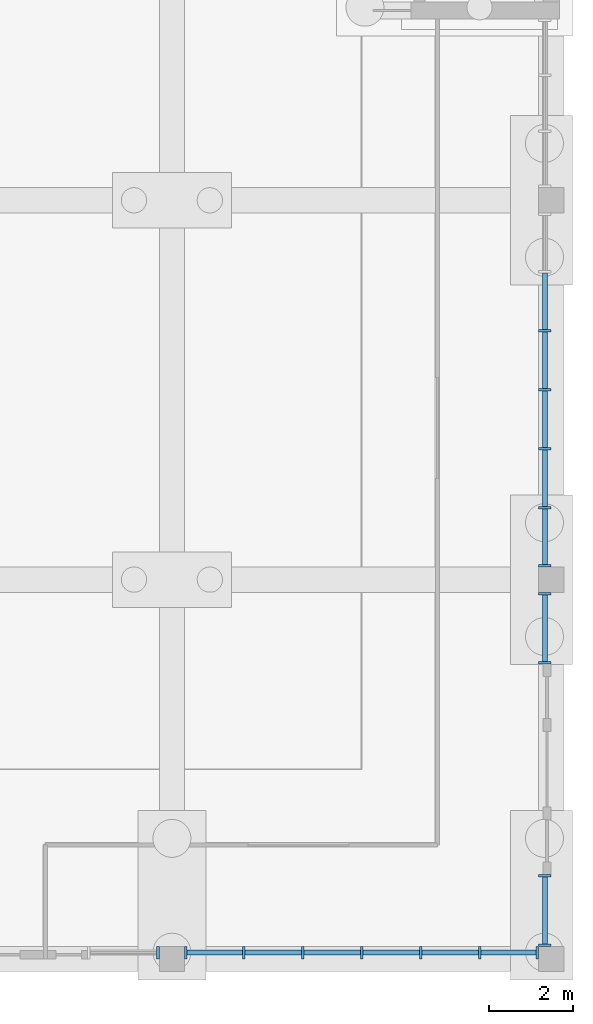
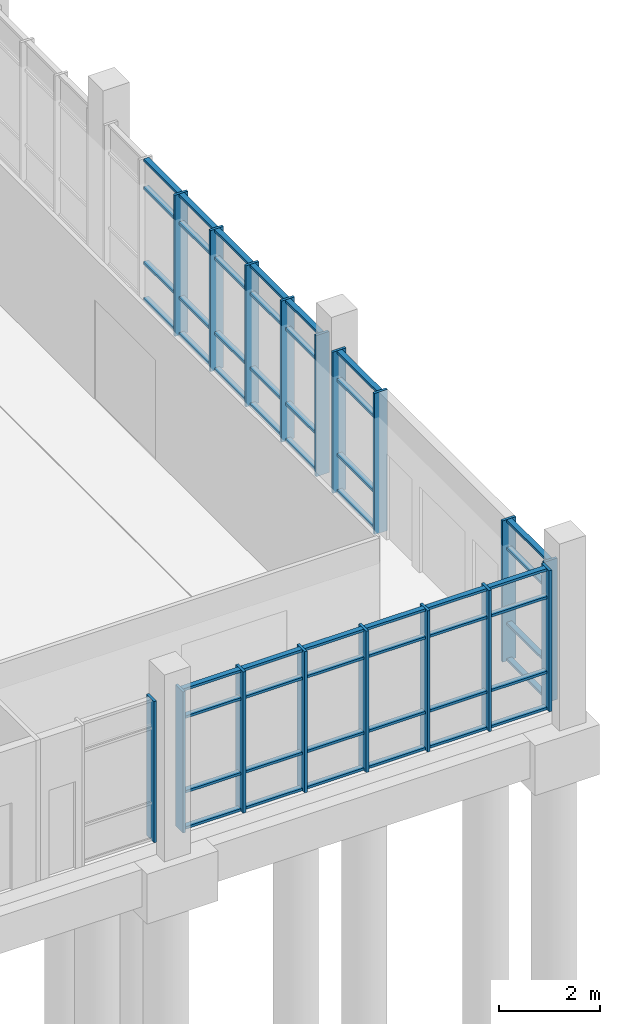
# One storey, part 36 of 106: 69 members, 5 elements without a shape of their own.
"""IFC4 building model written with IfcOpenShell, lengths in metres."""

from ifc_helpers import new_model, si_unit, direction, frame, origin, origin_2d, place, context, subcontext, project, spatial, rectangle, extrude, material, material_profile, profile_set, type_object, element, aggregate, save


model = new_model("IFC4")

# Units and contexts
model_context = context("Model", 3, precision=1e-05, world=origin(), true_north=direction((0.0, 1.0)))
body_context = subcontext(model_context, "Body", "Model", "MODEL_VIEW")
ifc_project = project(units=[si_unit("LENGTHUNIT", "METRE"), si_unit("AREAUNIT", "SQUARE_METRE"), si_unit("VOLUMEUNIT", "CUBIC_METRE"), si_unit("PLANEANGLEUNIT", "RADIAN"), si_unit("MASSUNIT", "GRAM", prefix="KILO")], contexts=[model_context])

# Site, building, storey
site_placement = place(None, origin())
site = spatial("IfcSite", under=ifc_project, at=site_placement, CompositionType="ELEMENT")
building_placement = place(site_placement, origin())
building = spatial("IfcBuilding", under=site, at=building_placement, Name="Merrow Basin Faculty of Sciences", CompositionType="ELEMENT")
storey_placement = place(building_placement, origin())
storey = spatial("IfcBuildingStorey", under=building, at=storey_placement, Name="L00", CompositionType="ELEMENT", Elevation=0.0)

# Curtain wall, members
ifc_material_1 = material(Name="Aluminium alloy 6063", Category="aluminium")
curtain_wall_type = type_object("IfcCurtainWallType", Name="Atrium concourse curtain wall 300", PredefinedType="NOTDEFINED", material=ifc_material_1)
curtain_wall_1_placement = place(storey_placement, origin())
curtain_wall_1 = element("IfcCurtainWall", 1, at=curtain_wall_1_placement, inside=storey, type_object=curtain_wall_type, Name="E curtain wall L00 1", PredefinedType="NOTDEFINED")
ifc_material_2 = material(Name="Aluminium alloy 6063", Category="aluminium")
ifc_material_profile_1 = material_profile(ifc_material_2, rectangle(XDim=0.300048828125, YDim=0.06005859375, at=origin_2d()))
ifc_profile_set_1 = profile_set([ifc_material_profile_1], Name="Aluminium alloy 6063")
member_type_1 = type_object("IfcMemberType", Name="Aluminium mullion 60x300", PredefinedType="MULLION", material=ifc_profile_set_1)
member_1_placement = place(storey_placement, frame((71.85009765625, 0.330078125, 0.0), z_axis=(0.0, 0.0, 1.0), x_axis=(-1.0, 0.0, 0.0)))
member_1 = element("IfcMember", 2, at=member_1_placement, type_object=member_type_1, Name="CW6 mullion 1", PredefinedType="MULLION", context=body_context, shape_type="SweptSolid", body=[
    extrude(rectangle(XDim=0.300048828125, YDim=0.06005859375, at=origin_2d()), origin(), (0.0, 0.0, 1.0), 3.39990234375),
])
member_2_placement = place(storey_placement, frame((71.85009765625, 1.969970703125, 0.0), z_axis=(0.0, 0.0, 1.0), x_axis=(-1.0, 0.0, 0.0)))
member_2 = element("IfcMember", 3, at=member_2_placement, type_object=member_type_1, Name="CW6 mullion 2", PredefinedType="MULLION", context=body_context, shape_type="SweptSolid", body=[
    extrude(rectangle(XDim=0.300048828125, YDim=0.06005859375, at=origin_2d()), origin(), (0.0, 0.0, 1.0), 3.39990234375),
])

curtain_wall_2_placement = place(storey_placement, origin())
curtain_wall_2 = element("IfcCurtainWall", 4, at=curtain_wall_2_placement, inside=storey, type_object=curtain_wall_type, Name="E curtain wall L00 2", PredefinedType="NOTDEFINED")
member_3_placement = place(storey_placement, frame((71.85009765625, 7.030029296875, 0.0), z_axis=(0.0, 0.0, 1.0), x_axis=(-1.0, 0.0, 0.0)))
member_3 = element("IfcMember", 5, at=member_3_placement, type_object=member_type_1, Name="CW6 mullion 1", PredefinedType="MULLION", context=body_context, shape_type="SweptSolid", body=[
    extrude(rectangle(XDim=0.300048828125, YDim=0.06005859375, at=origin_2d()), origin(), (0.0, 0.0, 1.0), 3.39990234375),
])
member_4_placement = place(storey_placement, frame((71.85009765625, 8.669921875, 0.0), z_axis=(0.0, 0.0, 1.0), x_axis=(-1.0, 0.0, 0.0)))
member_4 = element("IfcMember", 6, at=member_4_placement, type_object=member_type_1, Name="CW6 mullion 2", PredefinedType="MULLION", context=body_context, shape_type="SweptSolid", body=[
    extrude(rectangle(XDim=0.300048828125, YDim=0.06005859375, at=origin_2d()), origin(), (0.0, 0.0, 1.0), 3.39990234375),
])

curtain_wall_3_placement = place(storey_placement, origin())
curtain_wall_3 = element("IfcCurtainWall", 7, at=curtain_wall_3_placement, inside=storey, type_object=curtain_wall_type, Name="E curtain wall L00 3", PredefinedType="NOTDEFINED")
member_5_placement = place(storey_placement, frame((71.85009765625, 9.330078125, 0.0), z_axis=(0.0, 0.0, 1.0), x_axis=(-1.0, 0.0, 0.0)))
member_5 = element("IfcMember", 8, at=member_5_placement, type_object=member_type_1, Name="CW6 mullion 1", PredefinedType="MULLION", context=body_context, shape_type="SweptSolid", body=[
    extrude(rectangle(XDim=0.300048828125, YDim=0.06005859375, at=origin_2d()), origin(), (0.0, 0.0, 1.0), 3.39990234375),
])
member_6_placement = place(storey_placement, frame((71.85009765625, 10.699951171875, 0.0), z_axis=(0.0, 0.0, 1.0), x_axis=(-1.0, 0.0, 0.0)))
member_6 = element("IfcMember", 9, at=member_6_placement, type_object=member_type_1, Name="CW6 mullion 2", PredefinedType="MULLION", context=body_context, shape_type="SweptSolid", body=[
    extrude(rectangle(XDim=0.300048828125, YDim=0.06005859375, at=origin_2d()), origin(), (0.0, 0.0, 1.0), 3.39990234375),
])
member_7_placement = place(storey_placement, frame((71.85009765625, 12.10009765625, 0.0), z_axis=(0.0, 0.0, 1.0), x_axis=(-1.0, 0.0, 0.0)))
member_7 = element("IfcMember", 10, at=member_7_placement, type_object=member_type_1, Name="CW6 mullion 3", PredefinedType="MULLION", context=body_context, shape_type="SweptSolid", body=[
    extrude(rectangle(XDim=0.300048828125, YDim=0.06005859375, at=origin_2d()), origin(), (0.0, 0.0, 1.0), 3.39990234375),
])
member_8_placement = place(storey_placement, frame((71.85009765625, 13.5, 0.0), z_axis=(0.0, 0.0, 1.0), x_axis=(-1.0, 0.0, 0.0)))
member_8 = element("IfcMember", 11, at=member_8_placement, type_object=member_type_1, Name="CW6 mullion 4", PredefinedType="MULLION", context=body_context, shape_type="SweptSolid", body=[
    extrude(rectangle(XDim=0.300048828125, YDim=0.06005859375, at=origin_2d()), origin(), (0.0, 0.0, 1.0), 3.39990234375),
])
member_9_placement = place(storey_placement, frame((71.85009765625, 14.89990234375, 0.0), z_axis=(0.0, 0.0, 1.0), x_axis=(-1.0, 0.0, 0.0)))
member_9 = element("IfcMember", 12, at=member_9_placement, type_object=member_type_1, Name="CW6 mullion 5", PredefinedType="MULLION", context=body_context, shape_type="SweptSolid", body=[
    extrude(rectangle(XDim=0.300048828125, YDim=0.06005859375, at=origin_2d()), origin(), (0.0, 0.0, 1.0), 3.39990234375),
])

# Curtain wall, member
curtain_wall_4_placement = place(storey_placement, origin())
curtain_wall_4 = element("IfcCurtainWall", 13, at=curtain_wall_4_placement, inside=storey, type_object=curtain_wall_type, Name="S curtain wall L00 4", PredefinedType="NOTDEFINED")
member_10_placement = place(storey_placement, frame((62.669921875, 0.14990234375, 0.0), z_axis=(0.0, 0.0, 1.0), x_axis=(0.0, 1.0, 0.0)))
member_10 = element("IfcMember", 14, at=member_10_placement, type_object=member_type_1, Name="CW6 mullion 2", PredefinedType="MULLION", context=body_context, shape_type="SweptSolid", body=[
    extrude(rectangle(XDim=0.300048828125, YDim=0.06005859375, at=origin_2d()), origin(), (0.0, 0.0, 1.0), 3.39990234375),
])
aggregate(curtain_wall_4, [member_10])

# Curtain wall, members
curtain_wall_5_placement = place(storey_placement, origin())
curtain_wall_5 = element("IfcCurtainWall", 15, at=curtain_wall_5_placement, inside=storey, type_object=curtain_wall_type, Name="S curtain wall L00 5", PredefinedType="NOTDEFINED")
member_11_placement = place(storey_placement, frame((63.330078125, 0.14990234375, 0.0), z_axis=(0.0, 0.0, 1.0), x_axis=(0.0, 1.0, 0.0)))
member_11 = element("IfcMember", 16, at=member_11_placement, type_object=member_type_1, Name="CW6 mullion 1", PredefinedType="MULLION", context=body_context, shape_type="SweptSolid", body=[
    extrude(rectangle(XDim=0.300048828125, YDim=0.06005859375, at=origin_2d()), origin(), (0.0, 0.0, 1.0), 3.39990234375),
])
member_12_placement = place(storey_placement, frame((64.699951171875, 0.14990234375, 0.0), z_axis=(0.0, 0.0, 1.0), x_axis=(0.0, 1.0, 0.0)))
member_12 = element("IfcMember", 17, at=member_12_placement, type_object=member_type_1, Name="CW6 mullion 2", PredefinedType="MULLION", context=body_context, shape_type="SweptSolid", body=[
    extrude(rectangle(XDim=0.300048828125, YDim=0.06005859375, at=origin_2d()), origin(), (0.0, 0.0, 1.0), 3.39990234375),
])
member_13_placement = place(storey_placement, frame((66.10009765625, 0.14990234375, 0.0), z_axis=(0.0, 0.0, 1.0), x_axis=(0.0, 1.0, 0.0)))
member_13 = element("IfcMember", 18, at=member_13_placement, type_object=member_type_1, Name="CW6 mullion 3", PredefinedType="MULLION", context=body_context, shape_type="SweptSolid", body=[
    extrude(rectangle(XDim=0.300048828125, YDim=0.06005859375, at=origin_2d()), origin(), (0.0, 0.0, 1.0), 3.39990234375),
])
member_14_placement = place(storey_placement, frame((67.5, 0.14990234375, 0.0), z_axis=(0.0, 0.0, 1.0), x_axis=(0.0, 1.0, 0.0)))
member_14 = element("IfcMember", 19, at=member_14_placement, type_object=member_type_1, Name="CW6 mullion 4", PredefinedType="MULLION", context=body_context, shape_type="SweptSolid", body=[
    extrude(rectangle(XDim=0.300048828125, YDim=0.06005859375, at=origin_2d()), origin(), (0.0, 0.0, 1.0), 3.39990234375),
])
member_15_placement = place(storey_placement, frame((68.89990234375, 0.14990234375, 0.0), z_axis=(0.0, 0.0, 1.0), x_axis=(0.0, 1.0, 0.0)))
member_15 = element("IfcMember", 20, at=member_15_placement, type_object=member_type_1, Name="CW6 mullion 5", PredefinedType="MULLION", context=body_context, shape_type="SweptSolid", body=[
    extrude(rectangle(XDim=0.300048828125, YDim=0.06005859375, at=origin_2d()), origin(), (0.0, 0.0, 1.0), 3.39990234375),
])
member_16_placement = place(storey_placement, frame((70.300048828125, 0.14990234375, 0.0), z_axis=(0.0, 0.0, 1.0), x_axis=(0.0, 1.0, 0.0)))
member_16 = element("IfcMember", 21, at=member_16_placement, type_object=member_type_1, Name="CW6 mullion 6", PredefinedType="MULLION", context=body_context, shape_type="SweptSolid", body=[
    extrude(rectangle(XDim=0.300048828125, YDim=0.06005859375, at=origin_2d()), origin(), (0.0, 0.0, 1.0), 3.39990234375),
])
member_17_placement = place(storey_placement, frame((71.669921875, 0.14990234375, 0.0), z_axis=(0.0, 0.0, 1.0), x_axis=(0.0, 1.0, 0.0)))
member_17 = element("IfcMember", 22, at=member_17_placement, type_object=member_type_1, Name="CW6 mullion 7", PredefinedType="MULLION", context=body_context, shape_type="SweptSolid", body=[
    extrude(rectangle(XDim=0.300048828125, YDim=0.06005859375, at=origin_2d()), origin(), (0.0, 0.0, 1.0), 3.39990234375),
])

# Member
ifc_material_3 = material(Name="Aluminium alloy 6063", Category="aluminium")
ifc_material_profile_2 = material_profile(ifc_material_3, rectangle(XDim=0.1201171875, YDim=0.06005859375, at=origin_2d()))
ifc_profile_set_2 = profile_set([ifc_material_profile_2], Name="Aluminium alloy 6063")
member_type_2 = type_object("IfcMemberType", Name="Aluminium transom 60x120", PredefinedType="USERDEFINED", material=ifc_profile_set_2)
member_18_placement = place(storey_placement, frame((71.85009765625, 0.360107421875, 0.030029296875), z_axis=(0.0, 1.0, 0.0), x_axis=(-1.0, 0.0, 0.0)))
member_18 = element("IfcMember", 23, at=member_18_placement, type_object=member_type_2, Name="CW6 transom 1.1", ObjectType="TRANSOM", PredefinedType="USERDEFINED", context=body_context, shape_type="SweptSolid", body=[
    extrude(rectangle(XDim=0.1201171875, YDim=0.06005859375, at=origin_2d()), origin(), (0.0, 0.0, 1.0), 1.579833984375),
])

member_19_placement = place(storey_placement, frame((71.85009765625, 0.360107421875, 0.89990234375), z_axis=(0.0, 1.0, 0.0), x_axis=(-1.0, 0.0, 0.0)))
member_19 = element("IfcMember", 24, at=member_19_placement, type_object=member_type_2, Name="CW6 transom 1.2", ObjectType="TRANSOM", PredefinedType="USERDEFINED", context=body_context, shape_type="SweptSolid", body=[
    extrude(rectangle(XDim=0.1201171875, YDim=0.06005859375, at=origin_2d()), origin(), (0.0, 0.0, 1.0), 1.579833984375),
])

member_20_placement = place(storey_placement, frame((71.85009765625, 0.360107421875, 2.699951171875), z_axis=(0.0, 1.0, 0.0), x_axis=(-1.0, 0.0, 0.0)))
member_20 = element("IfcMember", 25, at=member_20_placement, type_object=member_type_2, Name="CW6 transom 1.3", ObjectType="TRANSOM", PredefinedType="USERDEFINED", context=body_context, shape_type="SweptSolid", body=[
    extrude(rectangle(XDim=0.1201171875, YDim=0.06005859375, at=origin_2d()), origin(), (0.0, 0.0, 1.0), 1.579833984375),
])

member_21_placement = place(storey_placement, frame((71.85009765625, 0.360107421875, 3.3701171875), z_axis=(0.0, 1.0, 0.0), x_axis=(-1.0, 0.0, 0.0)))
member_21 = element("IfcMember", 26, at=member_21_placement, type_object=member_type_2, Name="CW6 transom 1.4", ObjectType="TRANSOM", PredefinedType="USERDEFINED", context=body_context, shape_type="SweptSolid", body=[
    extrude(rectangle(XDim=0.1201171875, YDim=0.06005859375, at=origin_2d()), origin(), (0.0, 0.0, 1.0), 1.579833984375),
])

aggregate(curtain_wall_1, [member_1, member_2, member_18, member_19, member_20, member_21])

member_22_placement = place(storey_placement, frame((71.85009765625, 7.06005859375, 0.030029296875), z_axis=(0.0, 1.0, 0.0), x_axis=(-1.0, 0.0, 0.0)))
member_22 = element("IfcMember", 27, at=member_22_placement, type_object=member_type_2, Name="CW6 transom 1.1", ObjectType="TRANSOM", PredefinedType="USERDEFINED", context=body_context, shape_type="SweptSolid", body=[
    extrude(rectangle(XDim=0.1201171875, YDim=0.06005859375, at=origin_2d()), origin(), (0.0, 0.0, 1.0), 1.579833984375),
])

member_23_placement = place(storey_placement, frame((71.85009765625, 7.06005859375, 0.89990234375), z_axis=(0.0, 1.0, 0.0), x_axis=(-1.0, 0.0, 0.0)))
member_23 = element("IfcMember", 28, at=member_23_placement, type_object=member_type_2, Name="CW6 transom 1.2", ObjectType="TRANSOM", PredefinedType="USERDEFINED", context=body_context, shape_type="SweptSolid", body=[
    extrude(rectangle(XDim=0.1201171875, YDim=0.06005859375, at=origin_2d()), origin(), (0.0, 0.0, 1.0), 1.579833984375),
])

member_24_placement = place(storey_placement, frame((71.85009765625, 7.06005859375, 2.699951171875), z_axis=(0.0, 1.0, 0.0), x_axis=(-1.0, 0.0, 0.0)))
member_24 = element("IfcMember", 29, at=member_24_placement, type_object=member_type_2, Name="CW6 transom 1.3", ObjectType="TRANSOM", PredefinedType="USERDEFINED", context=body_context, shape_type="SweptSolid", body=[
    extrude(rectangle(XDim=0.1201171875, YDim=0.06005859375, at=origin_2d()), origin(), (0.0, 0.0, 1.0), 1.579833984375),
])

member_25_placement = place(storey_placement, frame((71.85009765625, 7.06005859375, 3.3701171875), z_axis=(0.0, 1.0, 0.0), x_axis=(-1.0, 0.0, 0.0)))
member_25 = element("IfcMember", 30, at=member_25_placement, type_object=member_type_2, Name="CW6 transom 1.4", ObjectType="TRANSOM", PredefinedType="USERDEFINED", context=body_context, shape_type="SweptSolid", body=[
    extrude(rectangle(XDim=0.1201171875, YDim=0.06005859375, at=origin_2d()), origin(), (0.0, 0.0, 1.0), 1.579833984375),
])

aggregate(curtain_wall_2, [member_3, member_4, member_22, member_23, member_24, member_25])

member_26_placement = place(storey_placement, frame((71.85009765625, 9.360107421875, 0.030029296875), z_axis=(0.0, 1.0, 0.0), x_axis=(-1.0, 0.0, 0.0)))
member_26 = element("IfcMember", 31, at=member_26_placement, type_object=member_type_2, Name="CW6 transom 1.1", ObjectType="TRANSOM", PredefinedType="USERDEFINED", context=body_context, shape_type="SweptSolid", body=[
    extrude(rectangle(XDim=0.1201171875, YDim=0.06005859375, at=origin_2d()), origin(), (0.0, 0.0, 1.0), 1.309814453125),
])

member_27_placement = place(storey_placement, frame((71.85009765625, 9.360107421875, 0.89990234375), z_axis=(0.0, 1.0, 0.0), x_axis=(-1.0, 0.0, 0.0)))
member_27 = element("IfcMember", 32, at=member_27_placement, type_object=member_type_2, Name="CW6 transom 1.2", ObjectType="TRANSOM", PredefinedType="USERDEFINED", context=body_context, shape_type="SweptSolid", body=[
    extrude(rectangle(XDim=0.1201171875, YDim=0.06005859375, at=origin_2d()), origin(), (0.0, 0.0, 1.0), 1.309814453125),
])

member_28_placement = place(storey_placement, frame((71.85009765625, 9.360107421875, 2.699951171875), z_axis=(0.0, 1.0, 0.0), x_axis=(-1.0, 0.0, 0.0)))
member_28 = element("IfcMember", 33, at=member_28_placement, type_object=member_type_2, Name="CW6 transom 1.3", ObjectType="TRANSOM", PredefinedType="USERDEFINED", context=body_context, shape_type="SweptSolid", body=[
    extrude(rectangle(XDim=0.1201171875, YDim=0.06005859375, at=origin_2d()), origin(), (0.0, 0.0, 1.0), 1.309814453125),
])

member_29_placement = place(storey_placement, frame((71.85009765625, 9.360107421875, 3.3701171875), z_axis=(0.0, 1.0, 0.0), x_axis=(-1.0, 0.0, 0.0)))
member_29 = element("IfcMember", 34, at=member_29_placement, type_object=member_type_2, Name="CW6 transom 1.4", ObjectType="TRANSOM", PredefinedType="USERDEFINED", context=body_context, shape_type="SweptSolid", body=[
    extrude(rectangle(XDim=0.1201171875, YDim=0.06005859375, at=origin_2d()), origin(), (0.0, 0.0, 1.0), 1.309814453125),
])

member_30_placement = place(storey_placement, frame((71.85009765625, 10.72998046875, 0.030029296875), z_axis=(0.0, 1.0, 0.0), x_axis=(-1.0, 0.0, 0.0)))
member_30 = element("IfcMember", 35, at=member_30_placement, type_object=member_type_2, Name="CW6 transom 2.1", ObjectType="TRANSOM", PredefinedType="USERDEFINED", context=body_context, shape_type="SweptSolid", body=[
    extrude(rectangle(XDim=0.1201171875, YDim=0.06005859375, at=origin_2d()), origin(), (0.0, 0.0, 1.0), 1.340087890625),
])

member_31_placement = place(storey_placement, frame((71.85009765625, 10.72998046875, 0.89990234375), z_axis=(0.0, 1.0, 0.0), x_axis=(-1.0, 0.0, 0.0)))
member_31 = element("IfcMember", 36, at=member_31_placement, type_object=member_type_2, Name="CW6 transom 2.2", ObjectType="TRANSOM", PredefinedType="USERDEFINED", context=body_context, shape_type="SweptSolid", body=[
    extrude(rectangle(XDim=0.1201171875, YDim=0.06005859375, at=origin_2d()), origin(), (0.0, 0.0, 1.0), 1.340087890625),
])

member_32_placement = place(storey_placement, frame((71.85009765625, 10.72998046875, 2.699951171875), z_axis=(0.0, 1.0, 0.0), x_axis=(-1.0, 0.0, 0.0)))
member_32 = element("IfcMember", 37, at=member_32_placement, type_object=member_type_2, Name="CW6 transom 2.3", ObjectType="TRANSOM", PredefinedType="USERDEFINED", context=body_context, shape_type="SweptSolid", body=[
    extrude(rectangle(XDim=0.1201171875, YDim=0.06005859375, at=origin_2d()), origin(), (0.0, 0.0, 1.0), 1.340087890625),
])

member_33_placement = place(storey_placement, frame((71.85009765625, 10.72998046875, 3.3701171875), z_axis=(0.0, 1.0, 0.0), x_axis=(-1.0, 0.0, 0.0)))
member_33 = element("IfcMember", 38, at=member_33_placement, type_object=member_type_2, Name="CW6 transom 2.4", ObjectType="TRANSOM", PredefinedType="USERDEFINED", context=body_context, shape_type="SweptSolid", body=[
    extrude(rectangle(XDim=0.1201171875, YDim=0.06005859375, at=origin_2d()), origin(), (0.0, 0.0, 1.0), 1.340087890625),
])

member_34_placement = place(storey_placement, frame((71.85009765625, 12.1298828125, 0.030029296875), z_axis=(0.0, 1.0, 0.0), x_axis=(-1.0, 0.0, 0.0)))
member_34 = element("IfcMember", 39, at=member_34_placement, type_object=member_type_2, Name="CW6 transom 3.1", ObjectType="TRANSOM", PredefinedType="USERDEFINED", context=body_context, shape_type="SweptSolid", body=[
    extrude(rectangle(XDim=0.1201171875, YDim=0.06005859375, at=origin_2d()), origin(), (0.0, 0.0, 1.0), 1.340087890625),
])

member_35_placement = place(storey_placement, frame((71.85009765625, 12.1298828125, 0.89990234375), z_axis=(0.0, 1.0, 0.0), x_axis=(-1.0, 0.0, 0.0)))
member_35 = element("IfcMember", 40, at=member_35_placement, type_object=member_type_2, Name="CW6 transom 3.2", ObjectType="TRANSOM", PredefinedType="USERDEFINED", context=body_context, shape_type="SweptSolid", body=[
    extrude(rectangle(XDim=0.1201171875, YDim=0.06005859375, at=origin_2d()), origin(), (0.0, 0.0, 1.0), 1.340087890625),
])

member_36_placement = place(storey_placement, frame((71.85009765625, 12.1298828125, 2.699951171875), z_axis=(0.0, 1.0, 0.0), x_axis=(-1.0, 0.0, 0.0)))
member_36 = element("IfcMember", 41, at=member_36_placement, type_object=member_type_2, Name="CW6 transom 3.3", ObjectType="TRANSOM", PredefinedType="USERDEFINED", context=body_context, shape_type="SweptSolid", body=[
    extrude(rectangle(XDim=0.1201171875, YDim=0.06005859375, at=origin_2d()), origin(), (0.0, 0.0, 1.0), 1.340087890625),
])

member_37_placement = place(storey_placement, frame((71.85009765625, 12.1298828125, 3.3701171875), z_axis=(0.0, 1.0, 0.0), x_axis=(-1.0, 0.0, 0.0)))
member_37 = element("IfcMember", 42, at=member_37_placement, type_object=member_type_2, Name="CW6 transom 3.4", ObjectType="TRANSOM", PredefinedType="USERDEFINED", context=body_context, shape_type="SweptSolid", body=[
    extrude(rectangle(XDim=0.1201171875, YDim=0.06005859375, at=origin_2d()), origin(), (0.0, 0.0, 1.0), 1.340087890625),
])

member_38_placement = place(storey_placement, frame((71.85009765625, 13.530029296875, 0.030029296875), z_axis=(0.0, 1.0, 0.0), x_axis=(-1.0, 0.0, 0.0)))
member_38 = element("IfcMember", 43, at=member_38_placement, type_object=member_type_2, Name="CW6 transom 4.1", ObjectType="TRANSOM", PredefinedType="USERDEFINED", context=body_context, shape_type="SweptSolid", body=[
    extrude(rectangle(XDim=0.1201171875, YDim=0.06005859375, at=origin_2d()), origin(), (0.0, 0.0, 1.0), 1.340087890625),
])

member_39_placement = place(storey_placement, frame((71.85009765625, 13.530029296875, 0.89990234375), z_axis=(0.0, 1.0, 0.0), x_axis=(-1.0, 0.0, 0.0)))
member_39 = element("IfcMember", 44, at=member_39_placement, type_object=member_type_2, Name="CW6 transom 4.2", ObjectType="TRANSOM", PredefinedType="USERDEFINED", context=body_context, shape_type="SweptSolid", body=[
    extrude(rectangle(XDim=0.1201171875, YDim=0.06005859375, at=origin_2d()), origin(), (0.0, 0.0, 1.0), 1.340087890625),
])

member_40_placement = place(storey_placement, frame((71.85009765625, 13.530029296875, 2.699951171875), z_axis=(0.0, 1.0, 0.0), x_axis=(-1.0, 0.0, 0.0)))
member_40 = element("IfcMember", 45, at=member_40_placement, type_object=member_type_2, Name="CW6 transom 4.3", ObjectType="TRANSOM", PredefinedType="USERDEFINED", context=body_context, shape_type="SweptSolid", body=[
    extrude(rectangle(XDim=0.1201171875, YDim=0.06005859375, at=origin_2d()), origin(), (0.0, 0.0, 1.0), 1.340087890625),
])

member_41_placement = place(storey_placement, frame((71.85009765625, 13.530029296875, 3.3701171875), z_axis=(0.0, 1.0, 0.0), x_axis=(-1.0, 0.0, 0.0)))
member_41 = element("IfcMember", 46, at=member_41_placement, type_object=member_type_2, Name="CW6 transom 4.4", ObjectType="TRANSOM", PredefinedType="USERDEFINED", context=body_context, shape_type="SweptSolid", body=[
    extrude(rectangle(XDim=0.1201171875, YDim=0.06005859375, at=origin_2d()), origin(), (0.0, 0.0, 1.0), 1.340087890625),
])

member_42_placement = place(storey_placement, frame((71.85009765625, 14.929931640625, 0.030029296875), z_axis=(0.0, 1.0, 0.0), x_axis=(-1.0, 0.0, 0.0)))
member_42 = element("IfcMember", 47, at=member_42_placement, type_object=member_type_2, Name="CW6 transom 5.1", ObjectType="TRANSOM", PredefinedType="USERDEFINED", context=body_context, shape_type="SweptSolid", body=[
    extrude(rectangle(XDim=0.1201171875, YDim=0.06005859375, at=origin_2d()), origin(), (0.0, 0.0, 1.0), 1.340087890625),
])

member_43_placement = place(storey_placement, frame((71.85009765625, 14.929931640625, 0.89990234375), z_axis=(0.0, 1.0, 0.0), x_axis=(-1.0, 0.0, 0.0)))
member_43 = element("IfcMember", 48, at=member_43_placement, type_object=member_type_2, Name="CW6 transom 5.2", ObjectType="TRANSOM", PredefinedType="USERDEFINED", context=body_context, shape_type="SweptSolid", body=[
    extrude(rectangle(XDim=0.1201171875, YDim=0.06005859375, at=origin_2d()), origin(), (0.0, 0.0, 1.0), 1.340087890625),
])

member_44_placement = place(storey_placement, frame((71.85009765625, 14.929931640625, 2.699951171875), z_axis=(0.0, 1.0, 0.0), x_axis=(-1.0, 0.0, 0.0)))
member_44 = element("IfcMember", 49, at=member_44_placement, type_object=member_type_2, Name="CW6 transom 5.3", ObjectType="TRANSOM", PredefinedType="USERDEFINED", context=body_context, shape_type="SweptSolid", body=[
    extrude(rectangle(XDim=0.1201171875, YDim=0.06005859375, at=origin_2d()), origin(), (0.0, 0.0, 1.0), 1.340087890625),
])

member_45_placement = place(storey_placement, frame((71.85009765625, 14.929931640625, 3.3701171875), z_axis=(0.0, 1.0, 0.0), x_axis=(-1.0, 0.0, 0.0)))
member_45 = element("IfcMember", 50, at=member_45_placement, type_object=member_type_2, Name="CW6 transom 5.4", ObjectType="TRANSOM", PredefinedType="USERDEFINED", context=body_context, shape_type="SweptSolid", body=[
    extrude(rectangle(XDim=0.1201171875, YDim=0.06005859375, at=origin_2d()), origin(), (0.0, 0.0, 1.0), 1.340087890625),
])

aggregate(curtain_wall_3, [member_5, member_6, member_7, member_8, member_9, member_26, member_27, member_28, member_29, member_30, member_31, member_32, member_33, member_34, member_35, member_36, member_37, member_38, member_39, member_40, member_41, member_42, member_43, member_44, member_45])

member_46_placement = place(storey_placement, frame((63.360107421875, 0.14990234375, 0.030029296875), z_axis=(1.0, 0.0, 0.0), x_axis=(0.0, 1.0, 0.0)))
member_46 = element("IfcMember", 51, at=member_46_placement, type_object=member_type_2, Name="CW6 transom 1.1", ObjectType="TRANSOM", PredefinedType="USERDEFINED", context=body_context, shape_type="SweptSolid", body=[
    extrude(rectangle(XDim=0.1201171875, YDim=0.06005859375, at=origin_2d()), origin(), (0.0, 0.0, 1.0), 1.309814453125),
])

member_47_placement = place(storey_placement, frame((63.360107421875, 0.14990234375, 0.89990234375), z_axis=(1.0, 0.0, 0.0), x_axis=(0.0, 1.0, 0.0)))
member_47 = element("IfcMember", 52, at=member_47_placement, type_object=member_type_2, Name="CW6 transom 1.2", ObjectType="TRANSOM", PredefinedType="USERDEFINED", context=body_context, shape_type="SweptSolid", body=[
    extrude(rectangle(XDim=0.1201171875, YDim=0.06005859375, at=origin_2d()), origin(), (0.0, 0.0, 1.0), 1.309814453125),
])

member_48_placement = place(storey_placement, frame((63.360107421875, 0.14990234375, 2.699951171875), z_axis=(1.0, 0.0, 0.0), x_axis=(0.0, 1.0, 0.0)))
member_48 = element("IfcMember", 53, at=member_48_placement, type_object=member_type_2, Name="CW6 transom 1.3", ObjectType="TRANSOM", PredefinedType="USERDEFINED", context=body_context, shape_type="SweptSolid", body=[
    extrude(rectangle(XDim=0.1201171875, YDim=0.06005859375, at=origin_2d()), origin(), (0.0, 0.0, 1.0), 1.309814453125),
])

member_49_placement = place(storey_placement, frame((63.360107421875, 0.14990234375, 3.3701171875), z_axis=(1.0, 0.0, 0.0), x_axis=(0.0, 1.0, 0.0)))
member_49 = element("IfcMember", 54, at=member_49_placement, type_object=member_type_2, Name="CW6 transom 1.4", ObjectType="TRANSOM", PredefinedType="USERDEFINED", context=body_context, shape_type="SweptSolid", body=[
    extrude(rectangle(XDim=0.1201171875, YDim=0.06005859375, at=origin_2d()), origin(), (0.0, 0.0, 1.0), 1.309814453125),
])

member_50_placement = place(storey_placement, frame((64.72998046875, 0.14990234375, 0.030029296875), z_axis=(1.0, 0.0, 0.0), x_axis=(0.0, 1.0, 0.0)))
member_50 = element("IfcMember", 55, at=member_50_placement, type_object=member_type_2, Name="CW6 transom 2.1", ObjectType="TRANSOM", PredefinedType="USERDEFINED", context=body_context, shape_type="SweptSolid", body=[
    extrude(rectangle(XDim=0.1201171875, YDim=0.06005859375, at=origin_2d()), origin(), (0.0, 0.0, 1.0), 1.340087890625),
])

member_51_placement = place(storey_placement, frame((64.72998046875, 0.14990234375, 0.89990234375), z_axis=(1.0, 0.0, 0.0), x_axis=(0.0, 1.0, 0.0)))
member_51 = element("IfcMember", 56, at=member_51_placement, type_object=member_type_2, Name="CW6 transom 2.2", ObjectType="TRANSOM", PredefinedType="USERDEFINED", context=body_context, shape_type="SweptSolid", body=[
    extrude(rectangle(XDim=0.1201171875, YDim=0.06005859375, at=origin_2d()), origin(), (0.0, 0.0, 1.0), 1.340087890625),
])

member_52_placement = place(storey_placement, frame((64.72998046875, 0.14990234375, 2.699951171875), z_axis=(1.0, 0.0, 0.0), x_axis=(0.0, 1.0, 0.0)))
member_52 = element("IfcMember", 57, at=member_52_placement, type_object=member_type_2, Name="CW6 transom 2.3", ObjectType="TRANSOM", PredefinedType="USERDEFINED", context=body_context, shape_type="SweptSolid", body=[
    extrude(rectangle(XDim=0.1201171875, YDim=0.06005859375, at=origin_2d()), origin(), (0.0, 0.0, 1.0), 1.340087890625),
])

member_53_placement = place(storey_placement, frame((64.72998046875, 0.14990234375, 3.3701171875), z_axis=(1.0, 0.0, 0.0), x_axis=(0.0, 1.0, 0.0)))
member_53 = element("IfcMember", 58, at=member_53_placement, type_object=member_type_2, Name="CW6 transom 2.4", ObjectType="TRANSOM", PredefinedType="USERDEFINED", context=body_context, shape_type="SweptSolid", body=[
    extrude(rectangle(XDim=0.1201171875, YDim=0.06005859375, at=origin_2d()), origin(), (0.0, 0.0, 1.0), 1.340087890625),
])

member_54_placement = place(storey_placement, frame((66.1298828125, 0.14990234375, 0.030029296875), z_axis=(1.0, 0.0, 0.0), x_axis=(0.0, 1.0, 0.0)))
member_54 = element("IfcMember", 59, at=member_54_placement, type_object=member_type_2, Name="CW6 transom 3.1", ObjectType="TRANSOM", PredefinedType="USERDEFINED", context=body_context, shape_type="SweptSolid", body=[
    extrude(rectangle(XDim=0.1201171875, YDim=0.06005859375, at=origin_2d()), origin(), (0.0, 0.0, 1.0), 1.340087890625),
])

member_55_placement = place(storey_placement, frame((66.1298828125, 0.14990234375, 0.89990234375), z_axis=(1.0, 0.0, 0.0), x_axis=(0.0, 1.0, 0.0)))
member_55 = element("IfcMember", 60, at=member_55_placement, type_object=member_type_2, Name="CW6 transom 3.2", ObjectType="TRANSOM", PredefinedType="USERDEFINED", context=body_context, shape_type="SweptSolid", body=[
    extrude(rectangle(XDim=0.1201171875, YDim=0.06005859375, at=origin_2d()), origin(), (0.0, 0.0, 1.0), 1.340087890625),
])

member_56_placement = place(storey_placement, frame((66.1298828125, 0.14990234375, 2.699951171875), z_axis=(1.0, 0.0, 0.0), x_axis=(0.0, 1.0, 0.0)))
member_56 = element("IfcMember", 61, at=member_56_placement, type_object=member_type_2, Name="CW6 transom 3.3", ObjectType="TRANSOM", PredefinedType="USERDEFINED", context=body_context, shape_type="SweptSolid", body=[
    extrude(rectangle(XDim=0.1201171875, YDim=0.06005859375, at=origin_2d()), origin(), (0.0, 0.0, 1.0), 1.340087890625),
])

member_57_placement = place(storey_placement, frame((66.1298828125, 0.14990234375, 3.3701171875), z_axis=(1.0, 0.0, 0.0), x_axis=(0.0, 1.0, 0.0)))
member_57 = element("IfcMember", 62, at=member_57_placement, type_object=member_type_2, Name="CW6 transom 3.4", ObjectType="TRANSOM", PredefinedType="USERDEFINED", context=body_context, shape_type="SweptSolid", body=[
    extrude(rectangle(XDim=0.1201171875, YDim=0.06005859375, at=origin_2d()), origin(), (0.0, 0.0, 1.0), 1.340087890625),
])

member_58_placement = place(storey_placement, frame((67.530029296875, 0.14990234375, 0.030029296875), z_axis=(1.0, 0.0, 0.0), x_axis=(0.0, 1.0, 0.0)))
member_58 = element("IfcMember", 63, at=member_58_placement, type_object=member_type_2, Name="CW6 transom 4.1", ObjectType="TRANSOM", PredefinedType="USERDEFINED", context=body_context, shape_type="SweptSolid", body=[
    extrude(rectangle(XDim=0.1201171875, YDim=0.06005859375, at=origin_2d()), origin(), (0.0, 0.0, 1.0), 1.340087890625),
])

member_59_placement = place(storey_placement, frame((67.530029296875, 0.14990234375, 0.89990234375), z_axis=(1.0, 0.0, 0.0), x_axis=(0.0, 1.0, 0.0)))
member_59 = element("IfcMember", 64, at=member_59_placement, type_object=member_type_2, Name="CW6 transom 4.2", ObjectType="TRANSOM", PredefinedType="USERDEFINED", context=body_context, shape_type="SweptSolid", body=[
    extrude(rectangle(XDim=0.1201171875, YDim=0.06005859375, at=origin_2d()), origin(), (0.0, 0.0, 1.0), 1.340087890625),
])

member_60_placement = place(storey_placement, frame((67.530029296875, 0.14990234375, 2.699951171875), z_axis=(1.0, 0.0, 0.0), x_axis=(0.0, 1.0, 0.0)))
member_60 = element("IfcMember", 65, at=member_60_placement, type_object=member_type_2, Name="CW6 transom 4.3", ObjectType="TRANSOM", PredefinedType="USERDEFINED", context=body_context, shape_type="SweptSolid", body=[
    extrude(rectangle(XDim=0.1201171875, YDim=0.06005859375, at=origin_2d()), origin(), (0.0, 0.0, 1.0), 1.340087890625),
])

member_61_placement = place(storey_placement, frame((67.530029296875, 0.14990234375, 3.3701171875), z_axis=(1.0, 0.0, 0.0), x_axis=(0.0, 1.0, 0.0)))
member_61 = element("IfcMember", 66, at=member_61_placement, type_object=member_type_2, Name="CW6 transom 4.4", ObjectType="TRANSOM", PredefinedType="USERDEFINED", context=body_context, shape_type="SweptSolid", body=[
    extrude(rectangle(XDim=0.1201171875, YDim=0.06005859375, at=origin_2d()), origin(), (0.0, 0.0, 1.0), 1.340087890625),
])

member_62_placement = place(storey_placement, frame((68.929931640625, 0.14990234375, 0.030029296875), z_axis=(1.0, 0.0, 0.0), x_axis=(0.0, 1.0, 0.0)))
member_62 = element("IfcMember", 67, at=member_62_placement, type_object=member_type_2, Name="CW6 transom 5.1", ObjectType="TRANSOM", PredefinedType="USERDEFINED", context=body_context, shape_type="SweptSolid", body=[
    extrude(rectangle(XDim=0.1201171875, YDim=0.06005859375, at=origin_2d()), origin(), (0.0, 0.0, 1.0), 1.340087890625),
])

member_63_placement = place(storey_placement, frame((68.929931640625, 0.14990234375, 0.89990234375), z_axis=(1.0, 0.0, 0.0), x_axis=(0.0, 1.0, 0.0)))
member_63 = element("IfcMember", 68, at=member_63_placement, type_object=member_type_2, Name="CW6 transom 5.2", ObjectType="TRANSOM", PredefinedType="USERDEFINED", context=body_context, shape_type="SweptSolid", body=[
    extrude(rectangle(XDim=0.1201171875, YDim=0.06005859375, at=origin_2d()), origin(), (0.0, 0.0, 1.0), 1.340087890625),
])

member_64_placement = place(storey_placement, frame((68.929931640625, 0.14990234375, 2.699951171875), z_axis=(1.0, 0.0, 0.0), x_axis=(0.0, 1.0, 0.0)))
member_64 = element("IfcMember", 69, at=member_64_placement, type_object=member_type_2, Name="CW6 transom 5.3", ObjectType="TRANSOM", PredefinedType="USERDEFINED", context=body_context, shape_type="SweptSolid", body=[
    extrude(rectangle(XDim=0.1201171875, YDim=0.06005859375, at=origin_2d()), origin(), (0.0, 0.0, 1.0), 1.340087890625),
])

member_65_placement = place(storey_placement, frame((68.929931640625, 0.14990234375, 3.3701171875), z_axis=(1.0, 0.0, 0.0), x_axis=(0.0, 1.0, 0.0)))
member_65 = element("IfcMember", 70, at=member_65_placement, type_object=member_type_2, Name="CW6 transom 5.4", ObjectType="TRANSOM", PredefinedType="USERDEFINED", context=body_context, shape_type="SweptSolid", body=[
    extrude(rectangle(XDim=0.1201171875, YDim=0.06005859375, at=origin_2d()), origin(), (0.0, 0.0, 1.0), 1.340087890625),
])

member_66_placement = place(storey_placement, frame((70.330078125, 0.14990234375, 0.030029296875), z_axis=(1.0, 0.0, 0.0), x_axis=(0.0, 1.0, 0.0)))
member_66 = element("IfcMember", 71, at=member_66_placement, type_object=member_type_2, Name="CW6 transom 6.1", ObjectType="TRANSOM", PredefinedType="USERDEFINED", context=body_context, shape_type="SweptSolid", body=[
    extrude(rectangle(XDim=0.1201171875, YDim=0.06005859375, at=origin_2d()), origin(), (0.0, 0.0, 1.0), 1.309814453125),
])

member_67_placement = place(storey_placement, frame((70.330078125, 0.14990234375, 0.89990234375), z_axis=(1.0, 0.0, 0.0), x_axis=(0.0, 1.0, 0.0)))
member_67 = element("IfcMember", 72, at=member_67_placement, type_object=member_type_2, Name="CW6 transom 6.2", ObjectType="TRANSOM", PredefinedType="USERDEFINED", context=body_context, shape_type="SweptSolid", body=[
    extrude(rectangle(XDim=0.1201171875, YDim=0.06005859375, at=origin_2d()), origin(), (0.0, 0.0, 1.0), 1.309814453125),
])

member_68_placement = place(storey_placement, frame((70.330078125, 0.14990234375, 2.699951171875), z_axis=(1.0, 0.0, 0.0), x_axis=(0.0, 1.0, 0.0)))
member_68 = element("IfcMember", 73, at=member_68_placement, type_object=member_type_2, Name="CW6 transom 6.3", ObjectType="TRANSOM", PredefinedType="USERDEFINED", context=body_context, shape_type="SweptSolid", body=[
    extrude(rectangle(XDim=0.1201171875, YDim=0.06005859375, at=origin_2d()), origin(), (0.0, 0.0, 1.0), 1.309814453125),
])

member_69_placement = place(storey_placement, frame((70.330078125, 0.14990234375, 3.3701171875), z_axis=(1.0, 0.0, 0.0), x_axis=(0.0, 1.0, 0.0)))
member_69 = element("IfcMember", 74, at=member_69_placement, type_object=member_type_2, Name="CW6 transom 6.4", ObjectType="TRANSOM", PredefinedType="USERDEFINED", context=body_context, shape_type="SweptSolid", body=[
    extrude(rectangle(XDim=0.1201171875, YDim=0.06005859375, at=origin_2d()), origin(), (0.0, 0.0, 1.0), 1.309814453125),
])

aggregate(curtain_wall_5, [member_11, member_12, member_13, member_14, member_15, member_16, member_17, member_46, member_47, member_48, member_49, member_50, member_51, member_52, member_53, member_54, member_55, member_56, member_57, member_58, member_59, member_60, member_61, member_62, member_63, member_64, member_65, member_66, member_67, member_68, member_69])

save(model, "model.ifc")
